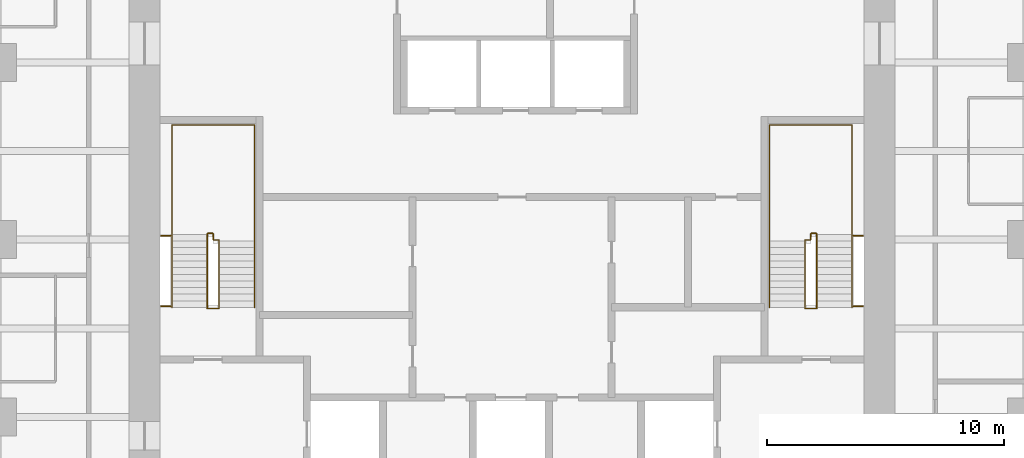
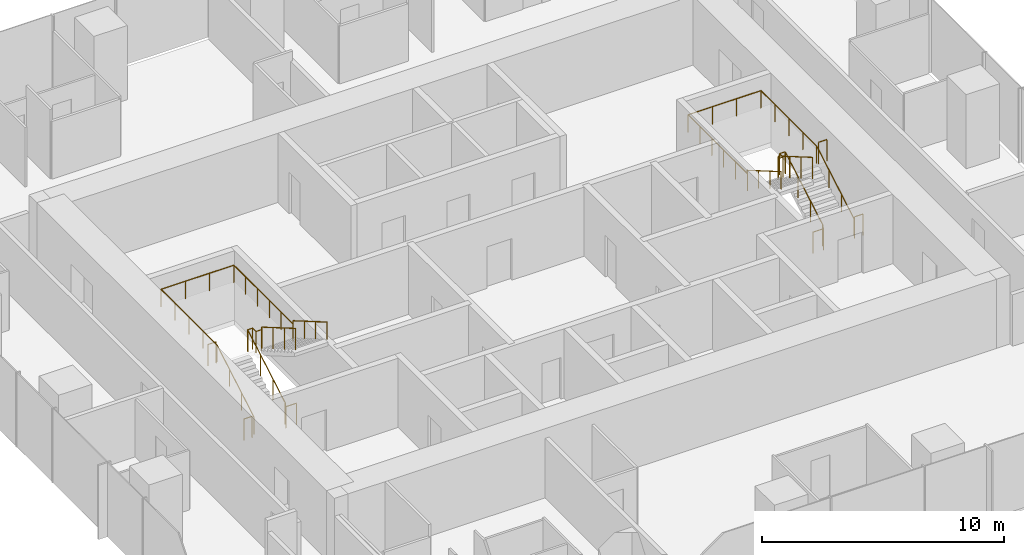
# One storey, part 12 of 12: 8 railings.
"""IFC4 building model written with IfcOpenShell, lengths in metres."""

import ifcopenshell
import ifcopenshell.guid

model = None  # the IFC model being written
_history = None  # IfcOwnerHistory: only IFC2X3 demands one
_inside = {}  # id of a spatial element -> (the spatial element, [elements in it])
_under = {}  # id of a project, library or spatial element -> (it, [spatial elements below it])
_declared = {}  # id of a project -> (the project, [libraries it declares])
_typed = {}  # id of a type object -> (the type object, [elements of that type])
_made_of = {}  # id of a material, layer set ... -> (it, [elements and type objects made of it])


def new_model(schema):
    """Start an empty IFC model of exactly this schema.

    Asked for "IFC4X3", IfcOpenShell would pick the latest addendum, in which some entities
    have other attributes; the version numbers below select the first issue.
    IFC2X3 requires an IfcOwnerHistory on every rooted entity: one is made here for all.
    """
    global model, _history
    if schema == "IFC4X3":
        model = ifcopenshell.file(schema_version=(4, 3, 0, 0))
    else:
        model = ifcopenshell.file(schema=schema)
    _inside.clear()
    _under.clear()
    _declared.clear()
    _typed.clear()
    _made_of.clear()
    _history = None
    if model.schema == "IFC2X3":
        org = make("IfcOrganization", Name="unknown")
        user = make(
            "IfcPersonAndOrganization",
            ThePerson=make("IfcPerson", FamilyName="unknown"),
            TheOrganization=org,
        )
        app = make(
            "IfcApplication",
            ApplicationDeveloper=org,
            Version="unknown",
            ApplicationFullName="unknown",
            ApplicationIdentifier="unknown",
        )
        _history = make(
            "IfcOwnerHistory",
            OwningUser=user,
            OwningApplication=app,
            ChangeAction="ADDED",
            CreationDate=0,
        )
    return model


def make(cls, **values):
    """One entity of the class cls with the attributes given. An attribute that is None is left unset."""
    return model.create_entity(
        cls, **{name: value for name, value in values.items() if value is not None}
    )


def rooted(cls, **values):
    """An entity with a GlobalId (a new one), such as an element, a storey or a relation."""
    return make(cls, GlobalId=ifcopenshell.guid.new(), OwnerHistory=_history, **values)


def si_unit(unit_type, name, prefix=None):
    """IfcSIUnit, for example si_unit("LENGTHUNIT", "METRE", prefix="MILLI")."""
    return make("IfcSIUnit", UnitType=unit_type, Prefix=prefix, Name=name)


def assignment(units):
    """IfcUnitAssignment: the units of a project."""
    return None if units is None else make("IfcUnitAssignment", Units=units)


def point(xyz):
    """IfcCartesianPoint."""
    return None if xyz is None else make("IfcCartesianPoint", Coordinates=xyz)


def direction(xyz):
    """IfcDirection."""
    return None if xyz is None else make("IfcDirection", DirectionRatios=xyz)


def frame(location, z_axis=None, x_axis=None):
    """IfcAxis2Placement3D, a coordinate frame: its origin and axes. An axis left out is left unset."""
    return make(
        "IfcAxis2Placement3D",
        Location=point(location),
        Axis=direction(z_axis),
        RefDirection=direction(x_axis),
    )


def frame_2d(location, x_axis=None):
    """IfcAxis2Placement2D, a coordinate frame in the plane: its origin and x axis."""
    return make(
        "IfcAxis2Placement2D", Location=point(location), RefDirection=direction(x_axis)
    )


def origin():
    """The frame at (0, 0, 0) with its axes left unset."""
    return frame((0.0, 0.0, 0.0))


def origin_2d():
    """The frame at (0, 0) in the plane with its x axis left unset."""
    return frame_2d((0.0, 0.0))


def place(relative_to, where):
    """IfcLocalPlacement: puts the frame where relative to a parent placement (None: the world)."""
    return make(
        "IfcLocalPlacement", PlacementRelTo=relative_to, RelativePlacement=where
    )


def context(
    kind, dimensions, precision=None, world=None, true_north=None, identifier=None
):
    """IfcGeometricRepresentationContext, for example the 3D "Model" context."""
    return make(
        "IfcGeometricRepresentationContext",
        ContextIdentifier=identifier,
        ContextType=kind,
        CoordinateSpaceDimension=dimensions,
        Precision=precision,
        WorldCoordinateSystem=world,
        TrueNorth=true_north,
    )


def subcontext(parent, identifier, kind, view, scale=None):
    """IfcGeometricRepresentationSubContext, for example "Body" below "Model"."""
    return make(
        "IfcGeometricRepresentationSubContext",
        ContextIdentifier=identifier,
        ContextType=kind,
        ParentContext=parent,
        TargetScale=scale,
        TargetView=view,
    )


def project(units=None, contexts=None):
    """IfcProject with its units and contexts."""
    return rooted(
        "IfcProject",
        Name="project",
        RepresentationContexts=contexts,
        UnitsInContext=assignment(units),
    )


def spatial(cls, under=None, at=None, **own):
    """A site, building, storey or space (cls), placed at a placement, below another one or the project."""
    s = rooted(cls, ObjectPlacement=at, **own)
    if under is not None:
        _under.setdefault(under.id(), (under, []))[1].append(s)
    return s


def profile(cls, at=None, kind="AREA", **sizes):
    """A parametric profile (cls). Its sizes go by their IFC names, for example OverallWidth=200.0."""
    return make(cls, ProfileType=kind, Position=at, **sizes)


def circle(**sizes):
    """IfcCircleProfileDef."""
    return profile("IfcCircleProfileDef", **sizes)


def extrude(swept, where, along, depth):
    """IfcExtrudedAreaSolid: the profile swept, set in the frame where, extruded along a direction by depth."""
    return make(
        "IfcExtrudedAreaSolid",
        SweptArea=swept,
        Position=where,
        ExtrudedDirection=direction(along),
        Depth=depth,
    )


def shape(context_of_items, identifier, shape_type, items):
    """IfcShapeRepresentation: the items that make up one representation, for example the "Body"."""
    return make(
        "IfcShapeRepresentation",
        ContextOfItems=context_of_items,
        RepresentationIdentifier=identifier,
        RepresentationType=shape_type,
        Items=items,
    )


def material(Name=None, Category=None):
    """IfcMaterial."""
    return make("IfcMaterial", Name=Name, Category=Category)


def made_of(thing, what):
    """Note that an element or type object is made of a material, layer set ...; save() writes the relation."""
    if what is not None:
        _made_of.setdefault(what.id(), (what, []))[1].append(thing)
    return thing


def type_object(cls, material=None, **own):
    """A type object (cls), such as IfcWallType, which elements share."""
    return made_of(rooted(cls, **own), material)


def element(
    cls,
    number,
    at=None,
    inside=None,
    cuts=None,
    type_object=None,
    material=None,
    context=None,
    identifier="Body",
    shape_type=None,
    held_by="IfcProductDefinitionShape",
    body=None,
    shapes=None,
    **own,
):
    """One element of the class cls, such as IfcWall. Its Tag is "e" and its number.

    at: its placement. inside: the storey or other place that contains it. cuts: it is an
    opening in that element (IfcRelVoidsElement). A single representation is given by context,
    identifier, shape_type and body (its items); several are given by shapes. held_by: the class
    of the entity that holds the representations. save() writes the other relations.
    """
    e = rooted(cls, Tag="e%d" % number, ObjectPlacement=at, **own)
    if body is not None:
        shapes = [shape(context, identifier, shape_type, body)]
    if shapes is not None:
        e.Representation = make(held_by, Representations=shapes)
    if inside is not None:
        _inside.setdefault(inside.id(), (inside, []))[1].append(e)
    if cuts is not None:
        rooted(
            "IfcRelVoidsElement", RelatingBuildingElement=cuts, RelatedOpeningElement=e
        )
    if type_object is not None:
        _typed.setdefault(type_object.id(), (type_object, []))[1].append(e)
    return made_of(e, material)


def aggregate(whole, parts):
    """IfcRelAggregates: a whole, such as a stair, and the parts it consists of."""
    return rooted("IfcRelAggregates", RelatingObject=whole, RelatedObjects=parts)


def save(model, path):
    """Write the relations noted so far, then the file.

    IfcRelAggregates (storeys below a building ...), IfcRelContainedInSpatialStructure (elements
    in a storey), IfcRelDefinesByType, IfcRelAssociatesMaterial and IfcRelDeclares: one each for
    every whole, place, type object, material and project.
    """
    for whole, parts in _under.values():
        aggregate(whole, parts)
    for where, things in _inside.values():
        rooted(
            "IfcRelContainedInSpatialStructure",
            RelatedElements=things,
            RelatingStructure=where,
        )
    for kind, things in _typed.values():
        rooted("IfcRelDefinesByType", RelatedObjects=things, RelatingType=kind)
    for what, things in _made_of.values():
        rooted("IfcRelAssociatesMaterial", RelatedObjects=things, RelatingMaterial=what)
    for by, libraries in _declared.values():
        rooted("IfcRelDeclares", RelatingContext=by, RelatedDefinitions=libraries)
    model.write(path)


model = new_model("IFC4")

# Units and contexts
model_context = context("Model", 3, precision=1e-05, world=origin(), true_north=direction((0.0, 1.0)))
body_context = subcontext(model_context, "Body", "Model", "MODEL_VIEW")
ifc_project = project(units=[si_unit("LENGTHUNIT", "METRE"), si_unit("AREAUNIT", "SQUARE_METRE"), si_unit("VOLUMEUNIT", "CUBIC_METRE"), si_unit("PLANEANGLEUNIT", "RADIAN"), si_unit("MASSUNIT", "GRAM", prefix="KILO")], contexts=[model_context])

# Site, building, storey
site_placement = place(None, origin())
site = spatial("IfcSite", under=ifc_project, at=site_placement, CompositionType="ELEMENT")
building_placement = place(site_placement, origin())
building = spatial("IfcBuilding", under=site, at=building_placement, Name="Khuree Lantern Residences", CompositionType="ELEMENT")
storey_placement = place(building_placement, frame((0.0, 0.0, 338.25)))
storey = spatial("IfcBuildingStorey", under=building, at=storey_placement, Name="L85", CompositionType="ELEMENT", Elevation=338.25)

# Railings
ifc_material = material(Name="Steel S355", Category="steel")
railing_type_1 = type_object("IfcRailingType", Name="STAIR GUARD G1 1100", PredefinedType="GUARDRAIL", material=ifc_material)
railing_1_placement = place(storey_placement, frame((-12.35009765625, -2.909912109375, 0.0)))
element("IfcRailing", 1, at=railing_1_placement, inside=storey, type_object=railing_type_1, Name="Stair ST1 guard", PredefinedType="GUARDRAIL", context=body_context, shape_type="SweptSolid", body=[
    extrude(circle(Radius=0.02392578125, at=origin_2d()), frame((0.0, 0.0, 1.076171875), z_axis=(-1.0, 0.0, 0.0), x_axis=(0.0, -1.0, 0.0)), (0.0, 0.0, 1.0), 0.5),
    extrude(circle(Radius=0.02392578125, at=origin_2d()), frame((-0.5, 0.0, 1.076171875), z_axis=(0.0, 0.292073035251, 0.95639601739), x_axis=(-1.0, 0.0, 0.0)), (0.0, 0.0, 1.0), 0.17041015625),
    extrude(circle(Radius=0.02392578125, at=origin_2d()), frame((-0.5, 0.0498046875, 1.2392578125), z_axis=(0.0, 0.864176135923, 0.503189433615), x_axis=(-1.0, 0.0, 0.0)), (0.0, 0.0, 1.0), 3.564208984375),
    extrude(circle(Radius=0.02392578125, at=origin_2d()), frame((-0.5, 3.1298828125, 3.03271484375), z_axis=(0.0, 1.0, 0.0), x_axis=(-1.0, 0.0, 0.0)), (0.0, 0.0, 1.0), 0.050048828125),
    extrude(circle(Radius=0.02392578125, at=origin_2d()), frame((-0.5, 3.179931640625, 3.03271484375), z_axis=(1.0, 0.0, 0.0), x_axis=(0.0, 1.0, 0.0)), (0.0, 0.0, 1.0), 0.25),
    extrude(circle(Radius=0.02392578125, at=origin_2d()), frame((-0.25, 3.179931640625, 3.03271484375), z_axis=(0.0, -1.0, 0.0), x_axis=(1.0, 0.0, 0.0)), (0.0, 0.0, 1.0), 0.280029296875),
    extrude(circle(Radius=0.02392578125, at=origin_2d()), frame((-0.25, 2.89990234375, 3.03271484375), z_axis=(1.0, 0.0, 0.0), x_axis=(0.0, 1.0, 0.0)), (0.0, 0.0, 1.0), 0.25),
    extrude(circle(Radius=0.02392578125, at=origin_2d()), frame((0.0, 2.89990234375, 3.03271484375), z_axis=(0.0, -0.293381807449, 0.955995353053), x_axis=(1.0, 0.0, 0.0)), (0.0, 0.0, 1.0), 0.170654296875),
    extrude(circle(Radius=0.02392578125, at=origin_2d()), frame((0.0, 2.849853515625, 3.19580078125), z_axis=(0.0, -0.864180358799, 0.503182181189), x_axis=(1.0, 0.0, 0.0)), (0.0, 0.0, 1.0), 3.240234375),
    extrude(circle(Radius=0.02099609375, at=origin_2d()), origin(), (0.0, 0.0, 1.0), 1.052001953125),
    extrude(circle(Radius=0.02099609375, at=origin_2d()), frame((-0.5, 0.0, 0.0)), (0.0, 0.0, 1.0), 1.052001953125),
    extrude(circle(Radius=0.02099609375, at=origin_2d()), frame((-0.5, 0.0498046875, 0.1630859375)), (0.0, 0.0, 1.0), 1.052001953125),
    extrude(circle(Radius=0.02099609375, at=origin_2d()), frame((-0.5, 1.076416015625, 0.760986328125)), (0.0, 0.0, 1.0), 1.052001953125),
    extrude(circle(Radius=0.02099609375, at=origin_2d()), frame((-0.5, 2.103271484375, 1.358642578125)), (0.0, 0.0, 1.0), 1.052001953125),
    extrude(circle(Radius=0.02099609375, at=origin_2d()), frame((-0.5, 3.1298828125, 1.95654296875)), (0.0, 0.0, 1.0), 1.052001953125),
    extrude(circle(Radius=0.02099609375, at=origin_2d()), frame((-0.5, 3.179931640625, 1.95654296875)), (0.0, 0.0, 1.0), 1.052001953125),
    extrude(circle(Radius=0.02099609375, at=origin_2d()), frame((-0.25, 3.179931640625, 1.95654296875)), (0.0, 0.0, 1.0), 1.052001953125),
    extrude(circle(Radius=0.02099609375, at=origin_2d()), frame((-0.25, 2.89990234375, 1.95654296875)), (0.0, 0.0, 1.0), 1.052001953125),
    extrude(circle(Radius=0.02099609375, at=origin_2d()), frame((0.0, 2.89990234375, 1.95654296875)), (0.0, 0.0, 1.0), 1.052001953125),
    extrude(circle(Radius=0.02099609375, at=origin_2d()), frame((0.0, 2.849853515625, 2.11962890625)), (0.0, 0.0, 1.0), 1.052001953125),
    extrude(circle(Radius=0.02099609375, at=origin_2d()), frame((0.0, 1.91650390625, 2.6630859375)), (0.0, 0.0, 1.0), 1.052001953125),
    extrude(circle(Radius=0.02099609375, at=origin_2d()), frame((0.0, 0.983154296875, 3.20654296875)), (0.0, 0.0, 1.0), 1.052001953125),
    extrude(circle(Radius=0.02099609375, at=origin_2d()), frame((0.0, 0.0498046875, 3.75)), (0.0, 0.0, 1.0), 1.052001953125),
])
for number, where, name in (
    (2, (-14.800048828125, -2.81005859375, 0.0), "Stair ST1 landing slot guard"),
    (3, (-14.800048828125, 0.169921875, 1.95654296875), "Stair ST1 landing slot guard"),
):
    element("IfcRailing", number, at=place(storey_placement, frame(where)), inside=storey, type_object=railing_type_1, Name=name, PredefinedType="GUARDRAIL", context=body_context, shape_type="SweptSolid", body=[
        extrude(circle(Radius=0.02392578125, at=origin_2d()), frame((0.0, 0.0, 1.076171875), z_axis=(1.0, 0.0, 0.0), x_axis=(0.0, 1.0, 0.0)), (0.0, 0.0, 1.0), 0.400146484375),
        extrude(circle(Radius=0.02099609375, at=origin_2d()), origin(), (0.0, 0.0, 1.0), 1.052001953125),
        extrude(circle(Radius=0.02099609375, at=origin_2d()), frame((0.400146484375, 0.0, 0.0)), (0.0, 0.0, 1.0), 1.052001953125),
    ])
railing_2_placement = place(storey_placement, frame((12.35009765625, -2.909912109375, 0.0)))
element("IfcRailing", 4, at=railing_2_placement, inside=storey, type_object=railing_type_1, Name="Stair ST2 guard", PredefinedType="GUARDRAIL", context=body_context, shape_type="SweptSolid", body=[
    extrude(circle(Radius=0.02392578125, at=origin_2d()), frame((0.0, 0.0, 1.076171875), z_axis=(1.0, 0.0, 0.0), x_axis=(0.0, 1.0, 0.0)), (0.0, 0.0, 1.0), 0.5),
    extrude(circle(Radius=0.02392578125, at=origin_2d()), frame((0.5, 0.0, 1.076171875), z_axis=(0.0, 0.292073035251, 0.95639601739), x_axis=(-1.0, 0.0, 0.0)), (0.0, 0.0, 1.0), 0.17041015625),
    extrude(circle(Radius=0.02392578125, at=origin_2d()), frame((0.5, 0.0498046875, 1.2392578125), z_axis=(0.0, 0.864176135923, 0.503189433615), x_axis=(-1.0, 0.0, 0.0)), (0.0, 0.0, 1.0), 3.564208984375),
    extrude(circle(Radius=0.02392578125, at=origin_2d()), frame((0.5, 3.1298828125, 3.03271484375), z_axis=(0.0, 1.0, 0.0), x_axis=(-1.0, 0.0, 0.0)), (0.0, 0.0, 1.0), 0.050048828125),
    extrude(circle(Radius=0.02392578125, at=origin_2d()), frame((0.5, 3.179931640625, 3.03271484375), z_axis=(-1.0, 0.0, 0.0), x_axis=(0.0, -1.0, 0.0)), (0.0, 0.0, 1.0), 0.25),
    extrude(circle(Radius=0.02392578125, at=origin_2d()), frame((0.25, 3.179931640625, 3.03271484375), z_axis=(0.0, -1.0, 0.0), x_axis=(1.0, 0.0, 0.0)), (0.0, 0.0, 1.0), 0.280029296875),
    extrude(circle(Radius=0.02392578125, at=origin_2d()), frame((0.25, 2.89990234375, 3.03271484375), z_axis=(-1.0, 0.0, 0.0), x_axis=(0.0, -1.0, 0.0)), (0.0, 0.0, 1.0), 0.25),
    extrude(circle(Radius=0.02392578125, at=origin_2d()), frame((0.0, 2.89990234375, 3.03271484375), z_axis=(0.0, -0.293381807449, 0.955995353053), x_axis=(1.0, 0.0, 0.0)), (0.0, 0.0, 1.0), 0.170654296875),
    extrude(circle(Radius=0.02392578125, at=origin_2d()), frame((0.0, 2.849853515625, 3.19580078125), z_axis=(0.0, -0.864180358799, 0.503182181189), x_axis=(1.0, 0.0, 0.0)), (0.0, 0.0, 1.0), 3.240234375),
    extrude(circle(Radius=0.02099609375, at=origin_2d()), origin(), (0.0, 0.0, 1.0), 1.052001953125),
    extrude(circle(Radius=0.02099609375, at=origin_2d()), frame((0.5, 0.0, 0.0)), (0.0, 0.0, 1.0), 1.052001953125),
    extrude(circle(Radius=0.02099609375, at=origin_2d()), frame((0.5, 0.0498046875, 0.1630859375)), (0.0, 0.0, 1.0), 1.052001953125),
    extrude(circle(Radius=0.02099609375, at=origin_2d()), frame((0.5, 1.076416015625, 0.760986328125)), (0.0, 0.0, 1.0), 1.052001953125),
    extrude(circle(Radius=0.02099609375, at=origin_2d()), frame((0.5, 2.103271484375, 1.358642578125)), (0.0, 0.0, 1.0), 1.052001953125),
    extrude(circle(Radius=0.02099609375, at=origin_2d()), frame((0.5, 3.1298828125, 1.95654296875)), (0.0, 0.0, 1.0), 1.052001953125),
    extrude(circle(Radius=0.02099609375, at=origin_2d()), frame((0.5, 3.179931640625, 1.95654296875)), (0.0, 0.0, 1.0), 1.052001953125),
    extrude(circle(Radius=0.02099609375, at=origin_2d()), frame((0.25, 3.179931640625, 1.95654296875)), (0.0, 0.0, 1.0), 1.052001953125),
    extrude(circle(Radius=0.02099609375, at=origin_2d()), frame((0.25, 2.89990234375, 1.95654296875)), (0.0, 0.0, 1.0), 1.052001953125),
    extrude(circle(Radius=0.02099609375, at=origin_2d()), frame((0.0, 2.89990234375, 1.95654296875)), (0.0, 0.0, 1.0), 1.052001953125),
    extrude(circle(Radius=0.02099609375, at=origin_2d()), frame((0.0, 2.849853515625, 2.11962890625)), (0.0, 0.0, 1.0), 1.052001953125),
    extrude(circle(Radius=0.02099609375, at=origin_2d()), frame((0.0, 1.91650390625, 2.6630859375)), (0.0, 0.0, 1.0), 1.052001953125),
    extrude(circle(Radius=0.02099609375, at=origin_2d()), frame((0.0, 0.983154296875, 3.20654296875)), (0.0, 0.0, 1.0), 1.052001953125),
    extrude(circle(Radius=0.02099609375, at=origin_2d()), frame((0.0, 0.0498046875, 3.75)), (0.0, 0.0, 1.0), 1.052001953125),
])
for number, where, name in (
    (5, (14.800048828125, -2.81005859375, 0.0), "Stair ST2 landing slot guard"),
    (6, (14.800048828125, 0.169921875, 1.95654296875), "Stair ST2 landing slot guard"),
):
    element("IfcRailing", number, at=place(storey_placement, frame(where)), inside=storey, type_object=railing_type_1, Name=name, PredefinedType="GUARDRAIL", context=body_context, shape_type="SweptSolid", body=[
        extrude(circle(Radius=0.02392578125, at=origin_2d()), frame((0.0, 0.0, 1.076171875), z_axis=(-1.0, 0.0, 0.0), x_axis=(0.0, -1.0, 0.0)), (0.0, 0.0, 1.0), 0.400146484375),
        extrude(circle(Radius=0.02099609375, at=origin_2d()), origin(), (0.0, 0.0, 1.0), 1.052001953125),
        extrude(circle(Radius=0.02099609375, at=origin_2d()), frame((-0.400146484375, 0.0, 0.0)), (0.0, 0.0, 1.0), 1.052001953125),
    ])
railing_type_2 = type_object("IfcRailingType", Name="STAIR HANDRAIL H1 900", PredefinedType="HANDRAIL", material=ifc_material)
railing_3_placement = place(storey_placement, frame((-14.340087890625, -2.860107421875, 0.1630859375)))
element("IfcRailing", 7, at=railing_3_placement, inside=storey, type_object=railing_type_2, Name="Stair ST1 handrail", PredefinedType="HANDRAIL", context=body_context, shape_type="SweptSolid", body=[
    extrude(circle(Radius=0.02392578125, at=origin_2d()), frame((0.0, 0.0, 0.8759765625), z_axis=(0.0, 0.864176135923, 0.503189433615), x_axis=(-1.0, 0.0, 0.0)), (0.0, 0.0, 1.0), 3.564208984375),
    extrude(circle(Radius=0.02392578125, at=origin_2d()), frame((0.0, 3.080078125, 2.66943359375), z_axis=(0.0, 1.0, 0.0), x_axis=(-1.0, 0.0, 0.0)), (0.0, 0.0, 1.0), 4.6201171875),
    extrude(circle(Radius=0.02392578125, at=origin_2d()), frame((0.0, 7.7001953125, 2.66943359375), z_axis=(1.0, 0.0, 0.0), x_axis=(0.0, 1.0, 0.0)), (0.0, 0.0, 1.0), 3.47998046875),
    extrude(circle(Radius=0.02392578125, at=origin_2d()), frame((3.47998046875, 7.7001953125, 2.66943359375), z_axis=(0.0, -1.0, 0.0), x_axis=(1.0, 0.0, 0.0)), (0.0, 0.0, 1.0), 4.900146484375),
    extrude(circle(Radius=0.02392578125, at=origin_2d()), frame((3.47998046875, 2.800048828125, 2.66943359375), z_axis=(0.0, 0.0, 1.0), x_axis=(1.0, 0.0, 0.0)), (0.0, 0.0, 1.0), 0.1630859375),
    extrude(circle(Radius=0.02392578125, at=origin_2d()), frame((3.47998046875, 2.800048828125, 2.83251953125), z_axis=(0.0, -0.864180358799, 0.503182181189), x_axis=(1.0, 0.0, 0.0)), (0.0, 0.0, 1.0), 3.240234375),
    extrude(circle(Radius=0.02099609375, at=origin_2d()), origin(), (0.0, 0.0, 1.0), 0.851806640625),
    extrude(circle(Radius=0.02099609375, at=origin_2d()), frame((0.0, 1.026611328125, 0.597900390625)), (0.0, 0.0, 1.0), 0.851806640625),
    extrude(circle(Radius=0.02099609375, at=origin_2d()), frame((0.0, 2.053466796875, 1.195556640625)), (0.0, 0.0, 1.0), 0.851806640625),
    extrude(circle(Radius=0.02099609375, at=origin_2d()), frame((0.0, 3.080078125, 1.79345703125)), (0.0, 0.0, 1.0), 0.851806640625),
    extrude(circle(Radius=0.02099609375, at=origin_2d()), frame((0.0, 4.235107421875, 1.79345703125)), (0.0, 0.0, 1.0), 0.851806640625),
    extrude(circle(Radius=0.02099609375, at=origin_2d()), frame((0.0, 5.39013671875, 1.79345703125)), (0.0, 0.0, 1.0), 0.851806640625),
    extrude(circle(Radius=0.02099609375, at=origin_2d()), frame((0.0, 6.545166015625, 1.79345703125)), (0.0, 0.0, 1.0), 0.851806640625),
    extrude(circle(Radius=0.02099609375, at=origin_2d()), frame((0.0, 7.7001953125, 1.79345703125)), (0.0, 0.0, 1.0), 0.851806640625),
    extrude(circle(Radius=0.02099609375, at=origin_2d()), frame((1.159912109375, 7.7001953125, 1.79345703125)), (0.0, 0.0, 1.0), 0.851806640625),
    extrude(circle(Radius=0.02099609375, at=origin_2d()), frame((2.320068359375, 7.7001953125, 1.79345703125)), (0.0, 0.0, 1.0), 0.851806640625),
    extrude(circle(Radius=0.02099609375, at=origin_2d()), frame((3.47998046875, 7.7001953125, 1.79345703125)), (0.0, 0.0, 1.0), 0.851806640625),
    extrude(circle(Radius=0.02099609375, at=origin_2d()), frame((3.47998046875, 6.72021484375, 1.79345703125)), (0.0, 0.0, 1.0), 0.851806640625),
    extrude(circle(Radius=0.02099609375, at=origin_2d()), frame((3.47998046875, 5.740234375, 1.79345703125)), (0.0, 0.0, 1.0), 0.851806640625),
    extrude(circle(Radius=0.02099609375, at=origin_2d()), frame((3.47998046875, 4.760009765625, 1.79345703125)), (0.0, 0.0, 1.0), 0.851806640625),
    extrude(circle(Radius=0.02099609375, at=origin_2d()), frame((3.47998046875, 3.780029296875, 1.79345703125)), (0.0, 0.0, 1.0), 0.851806640625),
    extrude(circle(Radius=0.02099609375, at=origin_2d()), frame((3.47998046875, 2.800048828125, 1.79345703125)), (0.0, 0.0, 1.0), 0.851806640625),
    extrude(circle(Radius=0.02099609375, at=origin_2d()), frame((3.47998046875, 2.800048828125, 1.95654296875)), (0.0, 0.0, 1.0), 0.851806640625),
    extrude(circle(Radius=0.02099609375, at=origin_2d()), frame((3.47998046875, 1.86669921875, 2.5)), (0.0, 0.0, 1.0), 0.851806640625),
    extrude(circle(Radius=0.02099609375, at=origin_2d()), frame((3.47998046875, 0.933349609375, 3.04345703125)), (0.0, 0.0, 1.0), 0.851806640625),
    extrude(circle(Radius=0.02099609375, at=origin_2d()), frame((3.47998046875, 0.0, 3.5869140625)), (0.0, 0.0, 1.0), 0.851806640625),
])
railing_4_placement = place(storey_placement, frame((14.340087890625, -2.860107421875, 0.1630859375)))
element("IfcRailing", 8, at=railing_4_placement, inside=storey, type_object=railing_type_2, Name="Stair ST2 handrail", PredefinedType="HANDRAIL", context=body_context, shape_type="SweptSolid", body=[
    extrude(circle(Radius=0.02392578125, at=origin_2d()), frame((0.0, 0.0, 0.8759765625), z_axis=(0.0, 0.864176135923, 0.503189433615), x_axis=(-1.0, 0.0, 0.0)), (0.0, 0.0, 1.0), 3.564208984375),
    extrude(circle(Radius=0.02392578125, at=origin_2d()), frame((0.0, 3.080078125, 2.66943359375), z_axis=(0.0, 1.0, 0.0), x_axis=(-1.0, 0.0, 0.0)), (0.0, 0.0, 1.0), 4.6201171875),
    extrude(circle(Radius=0.02392578125, at=origin_2d()), frame((0.0, 7.7001953125, 2.66943359375), z_axis=(-1.0, 0.0, 0.0), x_axis=(0.0, -1.0, 0.0)), (0.0, 0.0, 1.0), 3.47998046875),
    extrude(circle(Radius=0.02392578125, at=origin_2d()), frame((-3.47998046875, 7.7001953125, 2.66943359375), z_axis=(0.0, -1.0, 0.0), x_axis=(1.0, 0.0, 0.0)), (0.0, 0.0, 1.0), 4.900146484375),
    extrude(circle(Radius=0.02392578125, at=origin_2d()), frame((-3.47998046875, 2.800048828125, 2.66943359375), z_axis=(0.0, 0.0, 1.0), x_axis=(1.0, 0.0, 0.0)), (0.0, 0.0, 1.0), 0.1630859375),
    extrude(circle(Radius=0.02392578125, at=origin_2d()), frame((-3.47998046875, 2.800048828125, 2.83251953125), z_axis=(0.0, -0.864180358799, 0.503182181189), x_axis=(1.0, 0.0, 0.0)), (0.0, 0.0, 1.0), 3.240234375),
    extrude(circle(Radius=0.02099609375, at=origin_2d()), origin(), (0.0, 0.0, 1.0), 0.851806640625),
    extrude(circle(Radius=0.02099609375, at=origin_2d()), frame((0.0, 1.026611328125, 0.597900390625)), (0.0, 0.0, 1.0), 0.851806640625),
    extrude(circle(Radius=0.02099609375, at=origin_2d()), frame((0.0, 2.053466796875, 1.195556640625)), (0.0, 0.0, 1.0), 0.851806640625),
    extrude(circle(Radius=0.02099609375, at=origin_2d()), frame((0.0, 3.080078125, 1.79345703125)), (0.0, 0.0, 1.0), 0.851806640625),
    extrude(circle(Radius=0.02099609375, at=origin_2d()), frame((0.0, 4.235107421875, 1.79345703125)), (0.0, 0.0, 1.0), 0.851806640625),
    extrude(circle(Radius=0.02099609375, at=origin_2d()), frame((0.0, 5.39013671875, 1.79345703125)), (0.0, 0.0, 1.0), 0.851806640625),
    extrude(circle(Radius=0.02099609375, at=origin_2d()), frame((0.0, 6.545166015625, 1.79345703125)), (0.0, 0.0, 1.0), 0.851806640625),
    extrude(circle(Radius=0.02099609375, at=origin_2d()), frame((0.0, 7.7001953125, 1.79345703125)), (0.0, 0.0, 1.0), 0.851806640625),
    extrude(circle(Radius=0.02099609375, at=origin_2d()), frame((-1.159912109375, 7.7001953125, 1.79345703125)), (0.0, 0.0, 1.0), 0.851806640625),
    extrude(circle(Radius=0.02099609375, at=origin_2d()), frame((-2.320068359375, 7.7001953125, 1.79345703125)), (0.0, 0.0, 1.0), 0.851806640625),
    extrude(circle(Radius=0.02099609375, at=origin_2d()), frame((-3.47998046875, 7.7001953125, 1.79345703125)), (0.0, 0.0, 1.0), 0.851806640625),
    extrude(circle(Radius=0.02099609375, at=origin_2d()), frame((-3.47998046875, 6.72021484375, 1.79345703125)), (0.0, 0.0, 1.0), 0.851806640625),
    extrude(circle(Radius=0.02099609375, at=origin_2d()), frame((-3.47998046875, 5.740234375, 1.79345703125)), (0.0, 0.0, 1.0), 0.851806640625),
    extrude(circle(Radius=0.02099609375, at=origin_2d()), frame((-3.47998046875, 4.760009765625, 1.79345703125)), (0.0, 0.0, 1.0), 0.851806640625),
    extrude(circle(Radius=0.02099609375, at=origin_2d()), frame((-3.47998046875, 3.780029296875, 1.79345703125)), (0.0, 0.0, 1.0), 0.851806640625),
    extrude(circle(Radius=0.02099609375, at=origin_2d()), frame((-3.47998046875, 2.800048828125, 1.79345703125)), (0.0, 0.0, 1.0), 0.851806640625),
    extrude(circle(Radius=0.02099609375, at=origin_2d()), frame((-3.47998046875, 2.800048828125, 1.95654296875)), (0.0, 0.0, 1.0), 0.851806640625),
    extrude(circle(Radius=0.02099609375, at=origin_2d()), frame((-3.47998046875, 1.86669921875, 2.5)), (0.0, 0.0, 1.0), 0.851806640625),
    extrude(circle(Radius=0.02099609375, at=origin_2d()), frame((-3.47998046875, 0.933349609375, 3.04345703125)), (0.0, 0.0, 1.0), 0.851806640625),
    extrude(circle(Radius=0.02099609375, at=origin_2d()), frame((-3.47998046875, 0.0, 3.5869140625)), (0.0, 0.0, 1.0), 0.851806640625),
])

save(model, "model.ifc")
